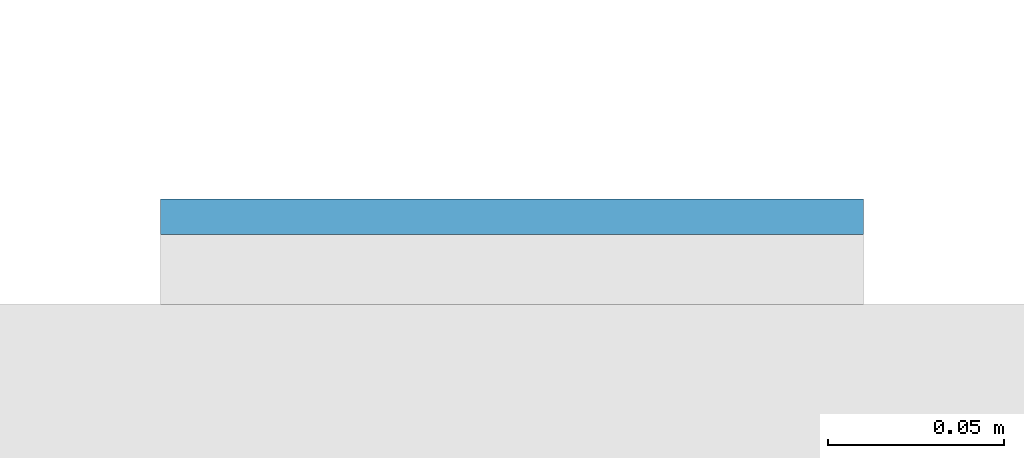
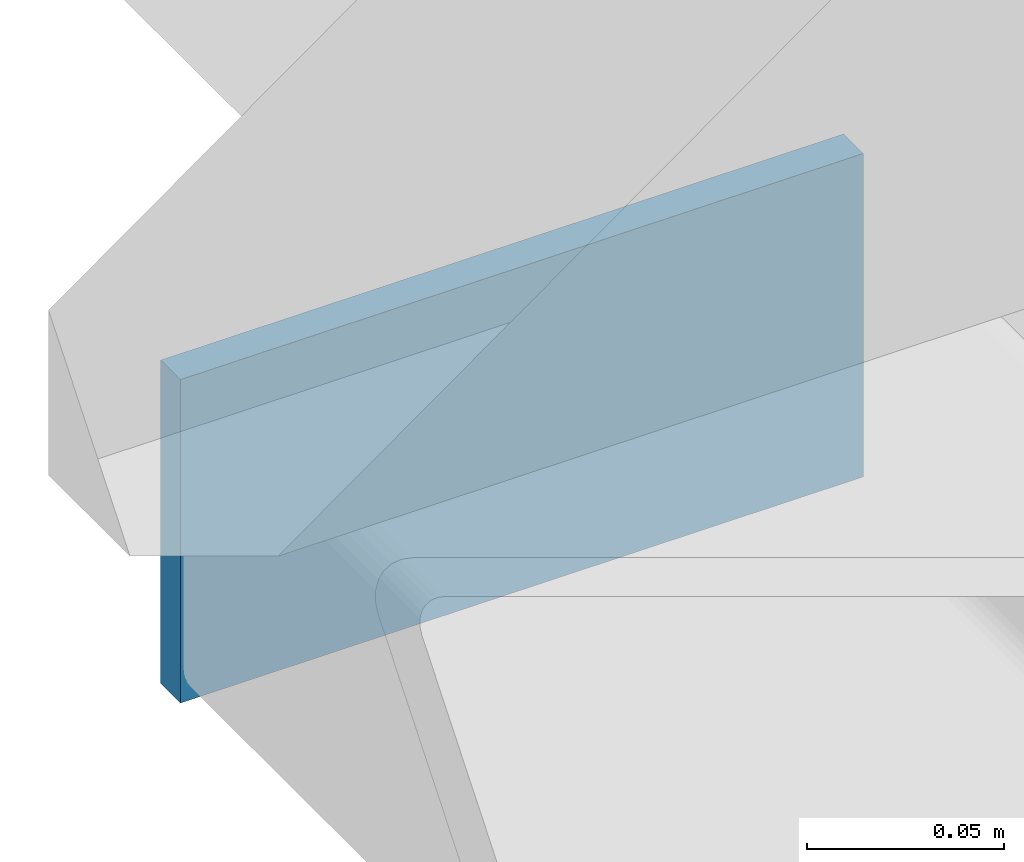
# One storey, part 9 of 21: 1 plate.
"""IFC4 building model written with IfcOpenShell, lengths in metres."""

from ifc_helpers import new_model, si_unit, direction, frame, origin, origin_2d, place, context, subcontext, project, spatial, rectangle, extrude, material, layer, layer_set, type_object, element, save


model = new_model("IFC4")

# Units and contexts
model_context = context("Model", 3, precision=1e-05, world=origin(), true_north=direction((0.0, 1.0)))
body_context = subcontext(model_context, "Body", "Model", "MODEL_VIEW")
ifc_project = project(units=[si_unit("LENGTHUNIT", "METRE"), si_unit("AREAUNIT", "SQUARE_METRE"), si_unit("VOLUMEUNIT", "CUBIC_METRE"), si_unit("PLANEANGLEUNIT", "RADIAN"), si_unit("MASSUNIT", "GRAM", prefix="KILO")], contexts=[model_context])

# Site, building, storey
site_placement = place(None, origin())
site = spatial("IfcSite", under=ifc_project, at=site_placement, CompositionType="ELEMENT")
building_placement = place(site_placement, origin())
building = spatial("IfcBuilding", under=site, at=building_placement, Name="Cleftline Residences", CompositionType="ELEMENT")
storey_placement = place(building_placement, frame((0.0, 0.0, 161.0)))
storey = spatial("IfcBuildingStorey", under=building, at=storey_placement, Name="L42", CompositionType="ELEMENT", Elevation=161.0)

# Plate
ifc_material = material(Name="Steel S355, hot-dip galvanised", Category="steel")
ifc_layer = layer(ifc_material, 0.010009765625)
ifc_layer_set = layer_set([ifc_layer], Name="BAGUETTE CARRIER END PLATE 200X100X10")
plate_type = type_object("IfcPlateType", Name="BAGUETTE CARRIER END PLATE 200X100X10", PredefinedType="USERDEFINED", material=ifc_layer_set)
plate_placement = place(storey_placement, frame((-0.85009765625, 44.304931640625, -0.10009765625), z_axis=(0.0, 0.0, 1.0), x_axis=(-1.0, 0.0, 0.0)))
element("IfcPlate", 1, at=plate_placement, inside=storey, type_object=plate_type, Name="Baguette carrier end plate", ObjectType="BAGUETTE CARRIER END PLATE", PredefinedType="USERDEFINED", context=body_context, shape_type="SweptSolid", body=[
    extrude(rectangle(XDim=0.199951171875, YDim=0.010009765625, at=origin_2d()), origin(), (0.0, 0.0, 1.0), 0.10009765625),
])

save(model, "model.ifc")
